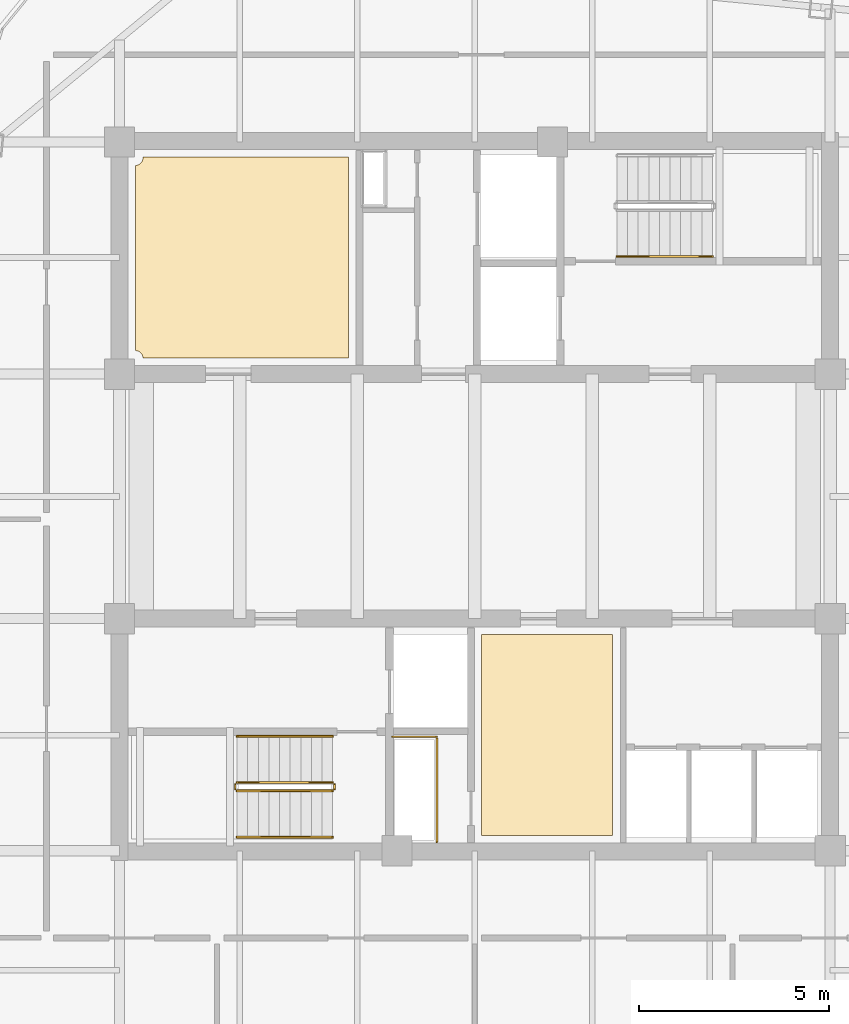
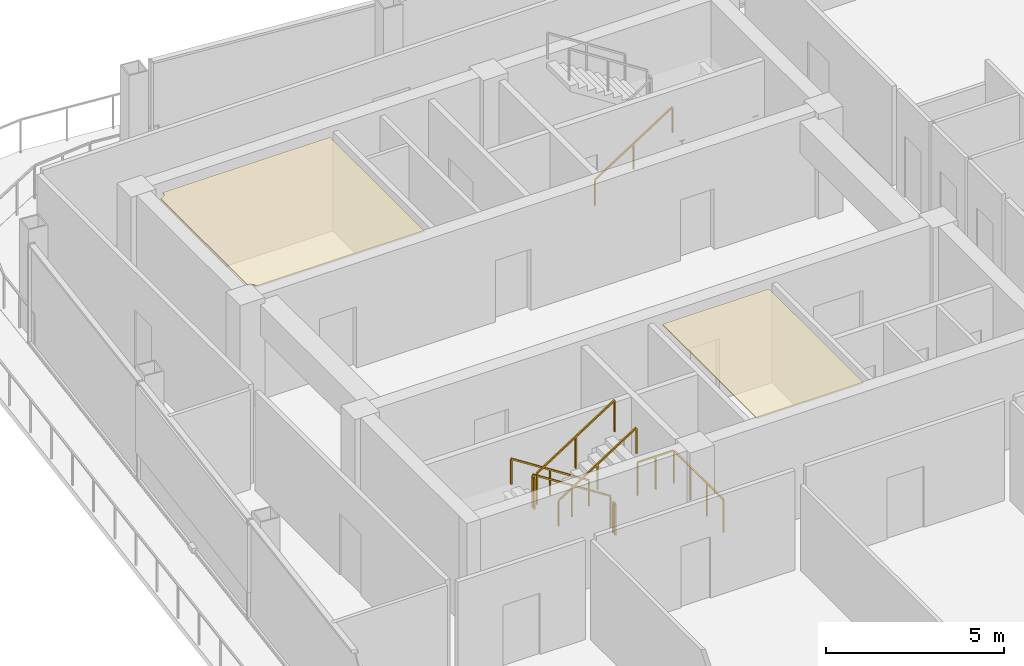
# One storey, part 20 of 23: 8 railings, 2 coverings.
"""IFC4 building model written with IfcOpenShell, lengths in metres."""

from ifc_helpers import new_model, si_unit, direction, frame, origin, origin_2d, place, context, subcontext, project, spatial, polyline, rectangle, outline, extrude, material, layer, layer_set, type_object, element, save


model = new_model("IFC4")

# Units and contexts
model_context = context("Model", 3, precision=1e-05, world=origin(), true_north=direction((0.0, 1.0)))
body_context = subcontext(model_context, "Body", "Model", "MODEL_VIEW")
ifc_project = project(units=[si_unit("LENGTHUNIT", "METRE"), si_unit("AREAUNIT", "SQUARE_METRE"), si_unit("VOLUMEUNIT", "CUBIC_METRE"), si_unit("PLANEANGLEUNIT", "RADIAN"), si_unit("MASSUNIT", "GRAM", prefix="KILO")], contexts=[model_context])

# Site, building, storey
site_placement = place(None, origin())
site = spatial("IfcSite", under=ifc_project, at=site_placement, CompositionType="ELEMENT")
building_placement = place(site_placement, origin())
building = spatial("IfcBuilding", under=site, at=building_placement, Name="Qhalaya Broadcast Tower", CompositionType="ELEMENT")
storey_placement = place(building_placement, frame((0.0, 0.0, 276.949951171875)))
storey = spatial("IfcBuildingStorey", under=building, at=storey_placement, Name="L82", CompositionType="ELEMENT", Elevation=276.949951171875)

# Coverings
ifc_material_1 = material(Name="Acoustic Mineral-Fibre Ceiling")
ifc_layer = layer(ifc_material_1, 0.0400390625, Name="Acoustic Mineral-Fibre Ceiling")
ifc_layer_set = layer_set([ifc_layer], Name="Acoustic Mineral-Fibre Ceiling")
covering_type = type_object("IfcCoveringType", Name="Acoustic Mineral-Fibre Suspended Ceiling CLG-01", PredefinedType="CEILING", material=ifc_layer_set)
covering_1_placement = place(storey_placement, frame((0.0, 0.0, 3.3701171875)))
element("IfcCovering", 1, at=covering_1_placement, inside=storey, type_object=covering_type, Name="L82 Acoustic Suspended Ceiling 01", PredefinedType="CEILING", context=body_context, shape_type="SweptSolid", body=[
    extrude(outline(polyline([(-8.756103515625, 4.2646484375), (-8.755126953125, 4.25), (-3.330078125, 4.25), (-3.330078125, 9.550048828125), (-8.7548828125, 9.550048828125), (-8.7548828125, 9.530029296875), (-8.756103515625, 9.510498046875), (-8.7587890625, 9.490966796875), (-8.763671875, 9.471923828125), (-8.770263671875, 9.45361328125), (-8.778564453125, 9.435791015625), (-8.788818359375, 9.4189453125), (-8.80029296875, 9.403076171875), (-8.813720703125, 9.388671875), (-8.828125, 9.37548828125), (-8.843994140625, 9.36376953125), (-8.860595703125, 9.353515625), (-8.87841796875, 9.34521484375), (-8.89697265625, 9.338623046875), (-8.916015625, 9.333740234375), (-8.935302734375, 9.3310546875), (-8.949951171875, 9.330078125), (-8.949951171875, 4.44482421875), (-8.935302734375, 4.444091796875), (-8.916015625, 4.441162109375), (-8.89697265625, 4.436279296875), (-8.87841796875, 4.4296875), (-8.860595703125, 4.42138671875), (-8.843994140625, 4.411376953125), (-8.828125, 4.399658203125), (-8.813720703125, 4.386474609375), (-8.80029296875, 4.371826171875), (-8.788818359375, 4.356201171875), (-8.778564453125, 4.33935546875), (-8.770263671875, 4.321533203125), (-8.763671875, 4.302978515625), (-8.7587890625, 4.283935546875), (-8.756103515625, 4.2646484375)])), origin(), (0.0, 0.0, 1.0), 0.0400390625),
])
covering_2_placement = place(storey_placement, frame((0.0, 0.0, 3.3701171875)))
element("IfcCovering", 2, at=covering_2_placement, inside=storey, type_object=covering_type, Name="L82 Acoustic Suspended Ceiling 02", PredefinedType="CEILING", context=body_context, shape_type="SweptSolid", body=[
    extrude(outline(polyline([(0.179931640625, -3.050048828125), (0.179931640625, -8.35009765625), (3.639892578125, -8.35009765625), (3.639892578125, -3.050048828125), (0.179931640625, -3.050048828125)])), origin(), (0.0, 0.0, 1.0), 0.0400390625),
])

# Railings
ifc_material_2 = material(Name="Powder-Coated Galvanised Steel", Category="steel")
railing_type_1 = type_object("IfcRailingType", Name="Stair Wall Handrail 900", PredefinedType="HANDRAIL", material=ifc_material_2)
railing_1_placement = place(storey_placement, frame((3.75, 6.929931640625, 0.179931640625)))
element("IfcRailing", 3, at=railing_1_placement, inside=storey, type_object=railing_type_1, Name="L82 ST-1 Stair Handrail 1", PredefinedType="HANDRAIL", context=body_context, shape_type="SweptSolid", body=[
    extrude(rectangle(XDim=0.048095703125, YDim=0.048095703125, at=origin_2d()), frame((0.0, 0.0, 0.8759765625), z_axis=(0.841162588446, 0.0, 0.540782303519), x_axis=(0.0, 1.0, 0.0)), (0.0, 0.0, 1.0), 2.995849609375),
    extrude(rectangle(XDim=0.0419921875, YDim=0.0419921875, at=origin_2d()), origin(), (0.0, 0.0, 1.0), 0.849853515625),
    extrude(rectangle(XDim=0.0419921875, YDim=0.0419921875, at=origin_2d()), frame((1.260009765625, 0.0, 0.81005859375)), (0.0, 0.0, 1.0), 0.849853515625),
    extrude(rectangle(XDim=0.0419921875, YDim=0.0419921875, at=origin_2d()), frame((2.52001953125, 0.0, 1.6201171875)), (0.0, 0.0, 1.0), 0.849853515625),
])
railing_2_placement = place(storey_placement, frame((-3.75, -5.72998046875, 0.179931640625)))
element("IfcRailing", 4, at=railing_2_placement, inside=storey, type_object=railing_type_1, Name="L82 ST-2 Stair Handrail 1", PredefinedType="HANDRAIL", context=body_context, shape_type="SweptSolid", body=[
    extrude(rectangle(XDim=0.048095703125, YDim=0.048095703125, at=origin_2d()), frame((0.0, 0.0, 0.8759765625), z_axis=(-0.841162588446, 0.0, 0.540782303519), x_axis=(0.0, -1.0, 0.0)), (0.0, 0.0, 1.0), 2.995849609375),
    extrude(rectangle(XDim=0.0419921875, YDim=0.0419921875, at=origin_2d()), origin(), (0.0, 0.0, 1.0), 0.849853515625),
    extrude(rectangle(XDim=0.0419921875, YDim=0.0419921875, at=origin_2d()), frame((-1.260009765625, 0.0, 0.81005859375)), (0.0, 0.0, 1.0), 0.849853515625),
    extrude(rectangle(XDim=0.0419921875, YDim=0.0419921875, at=origin_2d()), frame((-2.52001953125, 0.0, 1.6201171875)), (0.0, 0.0, 1.0), 0.849853515625),
])
railing_3_placement = place(storey_placement, frame((-6.27001953125, -8.389892578125, 1.97998046875)))
element("IfcRailing", 5, at=railing_3_placement, inside=storey, type_object=railing_type_1, Name="L82 ST-2 Stair Handrail 2", PredefinedType="HANDRAIL", context=body_context, shape_type="SweptSolid", body=[
    extrude(rectangle(XDim=0.048095703125, YDim=0.048095703125, at=origin_2d()), frame((0.0, 0.0, 0.8759765625), z_axis=(0.841162588446, 0.0, 0.540782303519), x_axis=(0.0, 1.0, 0.0)), (0.0, 0.0, 1.0), 2.995849609375),
    extrude(rectangle(XDim=0.0419921875, YDim=0.0419921875, at=origin_2d()), origin(), (0.0, 0.0, 1.0), 0.849853515625),
    extrude(rectangle(XDim=0.0419921875, YDim=0.0419921875, at=origin_2d()), frame((1.260009765625, 0.0, 0.81005859375)), (0.0, 0.0, 1.0), 0.849853515625),
    extrude(rectangle(XDim=0.0419921875, YDim=0.0419921875, at=origin_2d()), frame((2.52001953125, 0.0, 1.6201171875)), (0.0, 0.0, 1.0), 0.849853515625),
])
railing_type_2 = type_object("IfcRailingType", Name="Stair Well & Landing Guardrail 1100", PredefinedType="GUARDRAIL", material=ifc_material_2)
railing_4_placement = place(storey_placement, frame((-1.0, -8.52001953125, 0.0)))
element("IfcRailing", 6, at=railing_4_placement, inside=storey, type_object=railing_type_2, Name="L82 Service Riser Opening Safety Guard SRSR", PredefinedType="GUARDRAIL", context=body_context, shape_type="SweptSolid", body=[
    extrude(rectangle(XDim=0.048095703125, YDim=0.048095703125, at=origin_2d()), frame((0.0, 0.0, 1.1259765625), z_axis=(0.0, 1.0, 0.0), x_axis=(-1.0, 0.0, 0.0)), (0.0, 0.0, 1.0), 2.751220703125),
    extrude(rectangle(XDim=0.048095703125, YDim=0.048095703125, at=origin_2d()), frame((-0.02880859375, 2.780029296875, 1.1259765625), z_axis=(-1.0, 0.0, 0.0), x_axis=(0.0, -1.0, 0.0)), (0.0, 0.0, 1.0), 1.151123046875),
    extrude(rectangle(XDim=0.0419921875, YDim=0.0419921875, at=origin_2d()), origin(), (0.0, 0.0, 1.0), 1.099853515625),
    extrude(rectangle(XDim=0.0419921875, YDim=0.0419921875, at=origin_2d()), frame((0.0, 0.9267578125, 0.0)), (0.0, 0.0, 1.0), 1.099853515625),
    extrude(rectangle(XDim=0.0419921875, YDim=0.0419921875, at=origin_2d()), frame((0.0, 1.853271484375, 0.0)), (0.0, 0.0, 1.0), 1.099853515625),
    extrude(rectangle(XDim=0.0419921875, YDim=0.0419921875, at=origin_2d()), frame((0.0, 2.780029296875, 0.0)), (0.0, 0.0, 1.0), 1.099853515625),
    extrude(rectangle(XDim=0.0419921875, YDim=0.0419921875, at=origin_2d()), frame((-0.58984375, 2.780029296875, 0.0)), (0.0, 0.0, 1.0), 1.099853515625),
    extrude(rectangle(XDim=0.0419921875, YDim=0.0419921875, at=origin_2d()), frame((-1.179931640625, 2.780029296875, 0.0)), (0.0, 0.0, 1.0), 1.099853515625),
])
railing_5_placement = place(storey_placement, frame((-3.75, -6.949951171875, 0.179931640625)))
element("IfcRailing", 7, at=railing_5_placement, inside=storey, type_object=railing_type_2, Name="L82 ST-2 Stair Guard 1", PredefinedType="GUARDRAIL", context=body_context, shape_type="SweptSolid", body=[
    extrude(rectangle(XDim=0.048095703125, YDim=0.048095703125, at=origin_2d()), frame((0.0, 0.0, 1.076171875), z_axis=(-0.841162588446, 0.0, 0.540782303519), x_axis=(0.0, -1.0, 0.0)), (0.0, 0.0, 1.0), 2.995849609375),
    extrude(rectangle(XDim=0.0419921875, YDim=0.0419921875, at=origin_2d()), origin(), (0.0, 0.0, 1.0), 1.050048828125),
    extrude(rectangle(XDim=0.0419921875, YDim=0.0419921875, at=origin_2d()), frame((-1.260009765625, 0.0, 0.81005859375)), (0.0, 0.0, 1.0), 1.050048828125),
    extrude(rectangle(XDim=0.0419921875, YDim=0.0419921875, at=origin_2d()), frame((-2.52001953125, 0.0, 1.6201171875)), (0.0, 0.0, 1.0), 1.050048828125),
])
railing_6_placement = place(storey_placement, frame((-6.320068359375, -7.0, 1.800048828125)))
element("IfcRailing", 8, at=railing_6_placement, inside=storey, type_object=railing_type_2, Name="L82 ST-2 Stair Guard 2", PredefinedType="GUARDRAIL", context=body_context, shape_type="SweptSolid", body=[
    extrude(rectangle(XDim=0.048095703125, YDim=0.048095703125, at=origin_2d()), frame((0.0, 0.0, 1.076171875), z_axis=(0.0, -1.0, 0.0), x_axis=(1.0, 0.0, 0.0)), (0.0, 0.0, 1.0), 0.1201171875),
    extrude(rectangle(XDim=0.0419921875, YDim=0.0419921875, at=origin_2d()), origin(), (0.0, 0.0, 1.0), 1.050048828125),
    extrude(rectangle(XDim=0.0419921875, YDim=0.0419921875, at=origin_2d()), frame((0.0, -0.1201171875, 0.0)), (0.0, 0.0, 1.0), 1.050048828125),
])
railing_7_placement = place(storey_placement, frame((-6.27001953125, -7.169921875, 1.97998046875)))
element("IfcRailing", 9, at=railing_7_placement, inside=storey, type_object=railing_type_2, Name="L82 ST-2 Stair Guard 3", PredefinedType="GUARDRAIL", context=body_context, shape_type="SweptSolid", body=[
    extrude(rectangle(XDim=0.048095703125, YDim=0.048095703125, at=origin_2d()), frame((0.0, 0.0, 1.076171875), z_axis=(0.841162588446, 0.0, 0.540782303519), x_axis=(0.0, 1.0, 0.0)), (0.0, 0.0, 1.0), 2.995849609375),
    extrude(rectangle(XDim=0.0419921875, YDim=0.0419921875, at=origin_2d()), origin(), (0.0, 0.0, 1.0), 1.050048828125),
    extrude(rectangle(XDim=0.0419921875, YDim=0.0419921875, at=origin_2d()), frame((1.260009765625, 0.0, 0.81005859375)), (0.0, 0.0, 1.0), 1.050048828125),
    extrude(rectangle(XDim=0.0419921875, YDim=0.0419921875, at=origin_2d()), frame((2.52001953125, 0.0, 1.6201171875)), (0.0, 0.0, 1.0), 1.050048828125),
])
railing_8_placement = place(storey_placement, frame((-3.699951171875, -7.0, 0.0)))
element("IfcRailing", 10, at=railing_8_placement, inside=storey, type_object=railing_type_2, Name="L82 ST-2 Stair Guard 4", PredefinedType="GUARDRAIL", context=body_context, shape_type="SweptSolid", body=[
    extrude(rectangle(XDim=0.048095703125, YDim=0.048095703125, at=origin_2d()), frame((0.0, 0.0, 1.076171875), z_axis=(0.0, -1.0, 0.0), x_axis=(1.0, 0.0, 0.0)), (0.0, 0.0, 1.0), 0.1201171875),
    extrude(rectangle(XDim=0.0419921875, YDim=0.0419921875, at=origin_2d()), origin(), (0.0, 0.0, 1.0), 1.050048828125),
    extrude(rectangle(XDim=0.0419921875, YDim=0.0419921875, at=origin_2d()), frame((0.0, -0.1201171875, 0.0)), (0.0, 0.0, 1.0), 1.050048828125),
])

save(model, "model.ifc")
